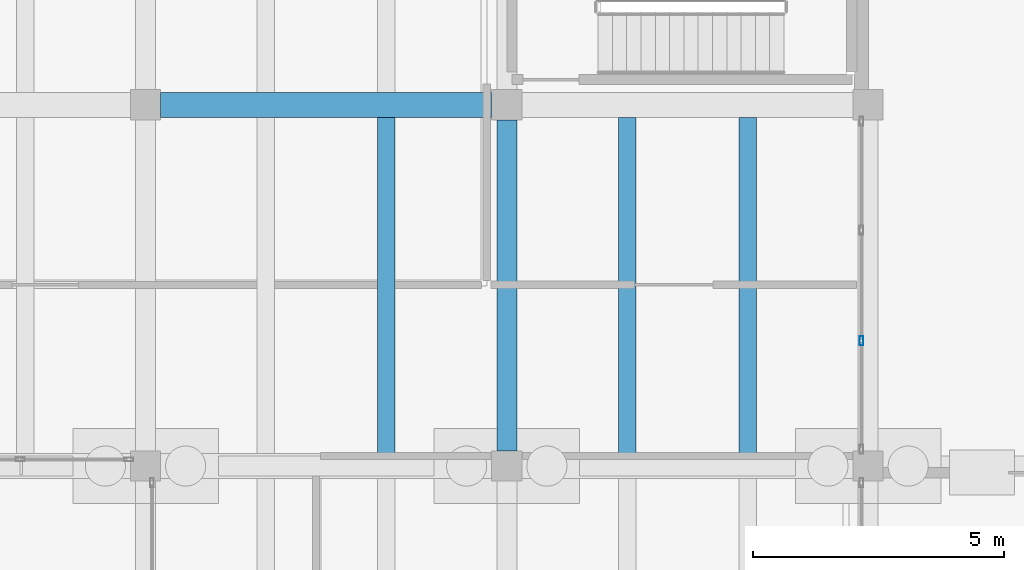
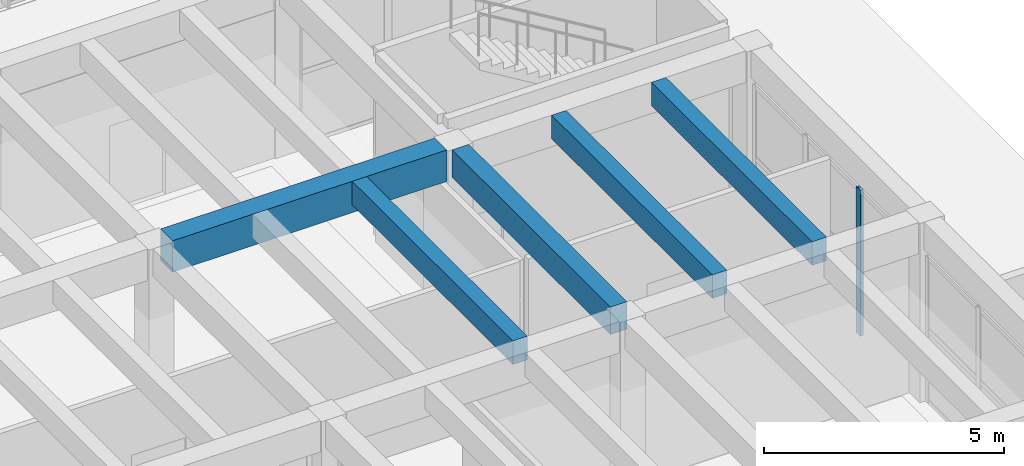
# One storey, part 88 of 155: 5 beams, 1 member, 1 element without a shape of its own.
"""IFC4 building model written with IfcOpenShell, lengths in metres."""

import ifcopenshell
import ifcopenshell.guid

model = None  # the IFC model being written
_history = None  # IfcOwnerHistory: only IFC2X3 demands one
_inside = {}  # id of a spatial element -> (the spatial element, [elements in it])
_under = {}  # id of a project, library or spatial element -> (it, [spatial elements below it])
_declared = {}  # id of a project -> (the project, [libraries it declares])
_typed = {}  # id of a type object -> (the type object, [elements of that type])
_made_of = {}  # id of a material, layer set ... -> (it, [elements and type objects made of it])


def new_model(schema):
    """Start an empty IFC model of exactly this schema.

    Asked for "IFC4X3", IfcOpenShell would pick the latest addendum, in which some entities
    have other attributes; the version numbers below select the first issue.
    IFC2X3 requires an IfcOwnerHistory on every rooted entity: one is made here for all.
    """
    global model, _history
    if schema == "IFC4X3":
        model = ifcopenshell.file(schema_version=(4, 3, 0, 0))
    else:
        model = ifcopenshell.file(schema=schema)
    _inside.clear()
    _under.clear()
    _declared.clear()
    _typed.clear()
    _made_of.clear()
    _history = None
    if model.schema == "IFC2X3":
        org = make("IfcOrganization", Name="unknown")
        user = make(
            "IfcPersonAndOrganization",
            ThePerson=make("IfcPerson", FamilyName="unknown"),
            TheOrganization=org,
        )
        app = make(
            "IfcApplication",
            ApplicationDeveloper=org,
            Version="unknown",
            ApplicationFullName="unknown",
            ApplicationIdentifier="unknown",
        )
        _history = make(
            "IfcOwnerHistory",
            OwningUser=user,
            OwningApplication=app,
            ChangeAction="ADDED",
            CreationDate=0,
        )
    return model


def make(cls, **values):
    """One entity of the class cls with the attributes given. An attribute that is None is left unset."""
    return model.create_entity(
        cls, **{name: value for name, value in values.items() if value is not None}
    )


def rooted(cls, **values):
    """An entity with a GlobalId (a new one), such as an element, a storey or a relation."""
    return make(cls, GlobalId=ifcopenshell.guid.new(), OwnerHistory=_history, **values)


def si_unit(unit_type, name, prefix=None):
    """IfcSIUnit, for example si_unit("LENGTHUNIT", "METRE", prefix="MILLI")."""
    return make("IfcSIUnit", UnitType=unit_type, Prefix=prefix, Name=name)


def assignment(units):
    """IfcUnitAssignment: the units of a project."""
    return None if units is None else make("IfcUnitAssignment", Units=units)


def point(xyz):
    """IfcCartesianPoint."""
    return None if xyz is None else make("IfcCartesianPoint", Coordinates=xyz)


def direction(xyz):
    """IfcDirection."""
    return None if xyz is None else make("IfcDirection", DirectionRatios=xyz)


def frame(location, z_axis=None, x_axis=None):
    """IfcAxis2Placement3D, a coordinate frame: its origin and axes. An axis left out is left unset."""
    return make(
        "IfcAxis2Placement3D",
        Location=point(location),
        Axis=direction(z_axis),
        RefDirection=direction(x_axis),
    )


def frame_2d(location, x_axis=None):
    """IfcAxis2Placement2D, a coordinate frame in the plane: its origin and x axis."""
    return make(
        "IfcAxis2Placement2D", Location=point(location), RefDirection=direction(x_axis)
    )


def origin():
    """The frame at (0, 0, 0) with its axes left unset."""
    return frame((0.0, 0.0, 0.0))


def origin_2d():
    """The frame at (0, 0) in the plane with its x axis left unset."""
    return frame_2d((0.0, 0.0))


def place(relative_to, where):
    """IfcLocalPlacement: puts the frame where relative to a parent placement (None: the world)."""
    return make(
        "IfcLocalPlacement", PlacementRelTo=relative_to, RelativePlacement=where
    )


def context(
    kind, dimensions, precision=None, world=None, true_north=None, identifier=None
):
    """IfcGeometricRepresentationContext, for example the 3D "Model" context."""
    return make(
        "IfcGeometricRepresentationContext",
        ContextIdentifier=identifier,
        ContextType=kind,
        CoordinateSpaceDimension=dimensions,
        Precision=precision,
        WorldCoordinateSystem=world,
        TrueNorth=true_north,
    )


def subcontext(parent, identifier, kind, view, scale=None):
    """IfcGeometricRepresentationSubContext, for example "Body" below "Model"."""
    return make(
        "IfcGeometricRepresentationSubContext",
        ContextIdentifier=identifier,
        ContextType=kind,
        ParentContext=parent,
        TargetScale=scale,
        TargetView=view,
    )


def project(units=None, contexts=None):
    """IfcProject with its units and contexts."""
    return rooted(
        "IfcProject",
        Name="project",
        RepresentationContexts=contexts,
        UnitsInContext=assignment(units),
    )


def spatial(cls, under=None, at=None, **own):
    """A site, building, storey or space (cls), placed at a placement, below another one or the project."""
    s = rooted(cls, ObjectPlacement=at, **own)
    if under is not None:
        _under.setdefault(under.id(), (under, []))[1].append(s)
    return s


def profile(cls, at=None, kind="AREA", **sizes):
    """A parametric profile (cls). Its sizes go by their IFC names, for example OverallWidth=200.0."""
    return make(cls, ProfileType=kind, Position=at, **sizes)


def rectangle(**sizes):
    """IfcRectangleProfileDef."""
    return profile("IfcRectangleProfileDef", **sizes)


def hollow_rectangle(**sizes):
    """IfcRectangleHollowProfileDef."""
    return profile("IfcRectangleHollowProfileDef", **sizes)


def extrude(swept, where, along, depth):
    """IfcExtrudedAreaSolid: the profile swept, set in the frame where, extruded along a direction by depth."""
    return make(
        "IfcExtrudedAreaSolid",
        SweptArea=swept,
        Position=where,
        ExtrudedDirection=direction(along),
        Depth=depth,
    )


def shape(context_of_items, identifier, shape_type, items):
    """IfcShapeRepresentation: the items that make up one representation, for example the "Body"."""
    return make(
        "IfcShapeRepresentation",
        ContextOfItems=context_of_items,
        RepresentationIdentifier=identifier,
        RepresentationType=shape_type,
        Items=items,
    )


def material(Name=None, Category=None):
    """IfcMaterial."""
    return make("IfcMaterial", Name=Name, Category=Category)


def material_profile(
    of_material, cross_section, Name=None, Category=None, Priority=None
):
    """IfcMaterialProfile: a cross section and its material."""
    return make(
        "IfcMaterialProfile",
        Name=Name,
        Material=of_material,
        Profile=cross_section,
        Priority=Priority,
        Category=Category,
    )


def profile_set(profiles, Name=None, composite=None):
    """IfcMaterialProfileSet."""
    return make(
        "IfcMaterialProfileSet",
        Name=Name,
        MaterialProfiles=profiles,
        CompositeProfile=composite,
    )


def made_of(thing, what):
    """Note that an element or type object is made of a material, layer set ...; save() writes the relation."""
    if what is not None:
        _made_of.setdefault(what.id(), (what, []))[1].append(thing)
    return thing


def type_object(cls, material=None, **own):
    """A type object (cls), such as IfcWallType, which elements share."""
    return made_of(rooted(cls, **own), material)


def element(
    cls,
    number,
    at=None,
    inside=None,
    cuts=None,
    type_object=None,
    material=None,
    context=None,
    identifier="Body",
    shape_type=None,
    held_by="IfcProductDefinitionShape",
    body=None,
    shapes=None,
    **own,
):
    """One element of the class cls, such as IfcWall. Its Tag is "e" and its number.

    at: its placement. inside: the storey or other place that contains it. cuts: it is an
    opening in that element (IfcRelVoidsElement). A single representation is given by context,
    identifier, shape_type and body (its items); several are given by shapes. held_by: the class
    of the entity that holds the representations. save() writes the other relations.
    """
    e = rooted(cls, Tag="e%d" % number, ObjectPlacement=at, **own)
    if body is not None:
        shapes = [shape(context, identifier, shape_type, body)]
    if shapes is not None:
        e.Representation = make(held_by, Representations=shapes)
    if inside is not None:
        _inside.setdefault(inside.id(), (inside, []))[1].append(e)
    if cuts is not None:
        rooted(
            "IfcRelVoidsElement", RelatingBuildingElement=cuts, RelatedOpeningElement=e
        )
    if type_object is not None:
        _typed.setdefault(type_object.id(), (type_object, []))[1].append(e)
    return made_of(e, material)


def aggregate(whole, parts):
    """IfcRelAggregates: a whole, such as a stair, and the parts it consists of."""
    return rooted("IfcRelAggregates", RelatingObject=whole, RelatedObjects=parts)


def save(model, path):
    """Write the relations noted so far, then the file.

    IfcRelAggregates (storeys below a building ...), IfcRelContainedInSpatialStructure (elements
    in a storey), IfcRelDefinesByType, IfcRelAssociatesMaterial and IfcRelDeclares: one each for
    every whole, place, type object, material and project.
    """
    for whole, parts in _under.values():
        aggregate(whole, parts)
    for where, things in _inside.values():
        rooted(
            "IfcRelContainedInSpatialStructure",
            RelatedElements=things,
            RelatingStructure=where,
        )
    for kind, things in _typed.values():
        rooted("IfcRelDefinesByType", RelatedObjects=things, RelatingType=kind)
    for what, things in _made_of.values():
        rooted("IfcRelAssociatesMaterial", RelatedObjects=things, RelatingMaterial=what)
    for by, libraries in _declared.values():
        rooted("IfcRelDeclares", RelatingContext=by, RelatedDefinitions=libraries)
    model.write(path)


model = new_model("IFC4")

# Units and contexts
model_context = context("Model", 3, precision=1e-05, world=origin(), true_north=direction((0.0, 1.0)))
body_context = subcontext(model_context, "Body", "Model", "MODEL_VIEW")
ifc_project = project(units=[si_unit("LENGTHUNIT", "METRE"), si_unit("AREAUNIT", "SQUARE_METRE"), si_unit("VOLUMEUNIT", "CUBIC_METRE"), si_unit("PLANEANGLEUNIT", "RADIAN"), si_unit("MASSUNIT", "GRAM", prefix="KILO")], contexts=[model_context])

# Site, building, storey
site_placement = place(None, origin())
site = spatial("IfcSite", under=ifc_project, at=site_placement, CompositionType="ELEMENT")
building_placement = place(site_placement, origin())
building = spatial("IfcBuilding", under=site, at=building_placement, Name="Bramvelor Terrace Health Centre", CompositionType="ELEMENT")
storey_placement = place(building_placement, origin())
storey = spatial("IfcBuildingStorey", under=building, at=storey_placement, Name="L01", CompositionType="ELEMENT", Elevation=0.0)

# Beams
ifc_material_1 = material(Name="Concrete C40/50", Category="concrete")
ifc_material_profile_1 = material_profile(ifc_material_1, rectangle(XDim=0.39990234375, YDim=0.699951171875, at=origin_2d()), Name="RC 400x700")
ifc_profile_set_1 = profile_set([ifc_material_profile_1], Name="Concrete C40/50")
beam_type_1 = type_object("IfcBeamType", Name="BM-RC-G700", PredefinedType="BEAM", material=ifc_profile_set_1)
beam_1_placement = place(storey_placement, frame((86.39990234375, 65.10009765625, 4.2099609375), z_axis=(0.0, 1.0, 0.0), x_axis=(-1.0, 0.0, 0.0)))
element("IfcBeam", 1, at=beam_1_placement, inside=storey, type_object=beam_type_1, Name="L01 Floor Girder", PredefinedType="BEAM", context=body_context, shape_type="SweptSolid", body=[
    extrude(rectangle(XDim=0.39990234375, YDim=0.699951171875, at=origin_2d()), origin(), (0.0, 0.0, 1.0), 6.599853515625),
])
ifc_material_2 = material(Name="Concrete C40/50", Category="concrete")
ifc_material_profile_2 = material_profile(ifc_material_2, rectangle(XDim=0.5, YDim=0.800048828125, at=origin_2d()), Name="RC 500x800")
ifc_profile_set_2 = profile_set([ifc_material_profile_2], Name="Concrete C40/50")
beam_type_2 = type_object("IfcBeamType", Name="BM-RC-G800", PredefinedType="BEAM", material=ifc_profile_set_2)
beam_2_placement = place(storey_placement, frame((79.5, 72.0, 4.159912109375), z_axis=(1.0, 0.0, 0.0), x_axis=(0.0, 1.0, 0.0)))
element("IfcBeam", 2, at=beam_2_placement, inside=storey, type_object=beam_type_2, Name="L01 Floor Girder", PredefinedType="BEAM", context=body_context, shape_type="SweptSolid", body=[
    extrude(rectangle(XDim=0.5, YDim=0.800048828125, at=origin_2d()), origin(), (0.0, 0.0, 1.0), 6.60009765625),
])
ifc_material_3 = material(Name="Concrete C40/50", Category="concrete")
ifc_material_profile_3 = material_profile(ifc_material_3, rectangle(XDim=0.35009765625, YDim=0.60009765625, at=origin_2d()), Name="RC 350x600")
ifc_profile_set_3 = profile_set([ifc_material_profile_3], Name="Concrete C40/50")
beam_type_3 = type_object("IfcBeamType", Name="BM-RC-J600", PredefinedType="JOIST", material=ifc_profile_set_3)
for number, where, z_axis, x_axis, name in (
    (3, (84.0, 65.050048828125, 4.260009765625), (0.0, 1.0, 0.0), (-1.0, 0.0, 0.0), "L01 Secondary Floor Joist"),
    (4, (88.800048828125, 65.050048828125, 4.260009765625), (0.0, 1.0, 0.0), (-1.0, 0.0, 0.0), "L01 Secondary Floor Joist"),
    (5, (91.199951171875, 65.050048828125, 4.260009765625), (0.0, 1.0, 0.0), (-1.0, 0.0, 0.0), "L01 Secondary Floor Joist"),
):
    element("IfcBeam", number, at=place(storey_placement, frame(where, z_axis=z_axis, x_axis=x_axis)), inside=storey, type_object=beam_type_3, Name=name, PredefinedType="JOIST", context=body_context, shape_type="SweptSolid", body=[
        extrude(rectangle(XDim=0.35009765625, YDim=0.60009765625, at=origin_2d()), origin(), (0.0, 0.0, 1.0), 6.699951171875),
    ])

# Curtain wall, member
ifc_material_4 = material(Name="Anodized aluminium and double low-E glass", Category="aluminium")
curtain_wall_type = type_object("IfcCurtainWallType", Name="CW-SYS-02", PredefinedType="NOTDEFINED", material=ifc_material_4)
curtain_wall_placement = place(storey_placement, origin())
curtain_wall = element("IfcCurtainWall", 6, at=curtain_wall_placement, inside=storey, type_object=curtain_wall_type, Name="L01 Unitized Curtain Wall 34", PredefinedType="NOTDEFINED")
ifc_material_5 = material(Name="Anodized aluminium 6063-T6", Category="aluminium")
ifc_material_profile_4 = material_profile(ifc_material_5, hollow_rectangle(XDim=0.074951171875, YDim=0.179931640625, WallThickness=0.00341796875, at=origin_2d()), Name="ALU-MUL 75x180x3.5")
ifc_profile_set_4 = profile_set([ifc_material_profile_4], Name="Anodized aluminium 6063-T6")
member_type = type_object("IfcMemberType", Name="CW-MUL-65x180", PredefinedType="MULLION", material=ifc_profile_set_4)
member_placement = place(storey_placement, frame((93.469970703125, 67.29833984375, 0.0), z_axis=(0.0, 0.0, 1.0), x_axis=(1.0, 0.0, 0.0)))
member = element("IfcMember", 7, at=member_placement, type_object=member_type, Name="CW-02 mullion 3", PredefinedType="MULLION", context=body_context, shape_type="SweptSolid", body=[
    extrude(hollow_rectangle(XDim=0.074951171875, YDim=0.179931640625, WallThickness=0.00341796875, at=origin_2d()), origin(), (0.0, 0.0, 1.0), 3.719970703125),
])
aggregate(curtain_wall, [member])

save(model, "model.ifc")
